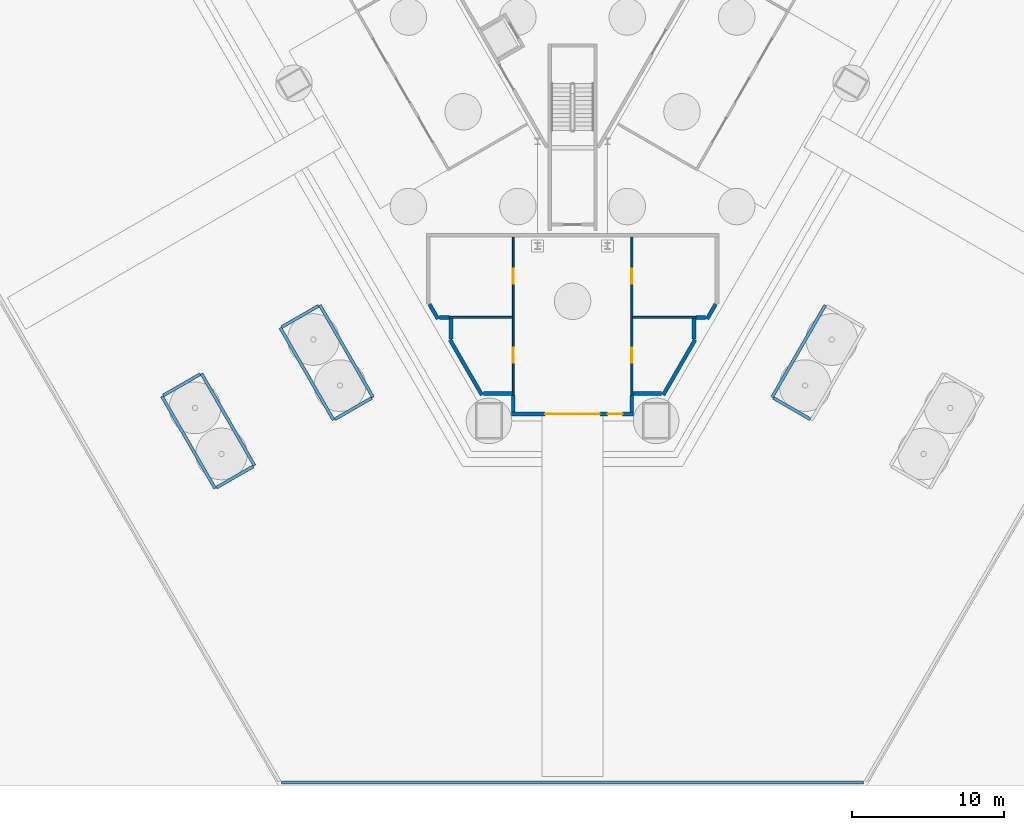
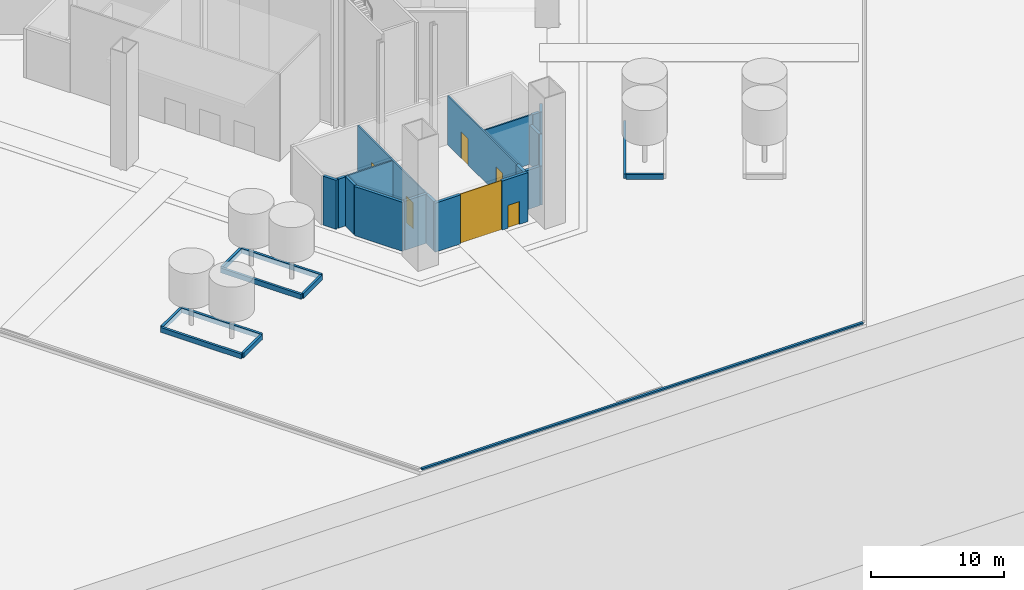
# One storey, part 4 of 22: 28 walls, 6 doors, 6 openings.
"""IFC4 building model written with IfcOpenShell, lengths in metres."""

from ifc_helpers import new_model, si_unit, direction, frame, frame_2d, origin, place, context, subcontext, project, spatial, rectangle, extrude, material, layer, layer_set, type_object, element, fill, save


model = new_model("IFC4")

# Units and contexts
model_context = context("Model", 3, precision=1e-05, world=origin(), true_north=direction((0.0, 1.0)))
body_context = subcontext(model_context, "Body", "Model", "MODEL_VIEW")
ifc_project = project(units=[si_unit("LENGTHUNIT", "METRE"), si_unit("AREAUNIT", "SQUARE_METRE"), si_unit("VOLUMEUNIT", "CUBIC_METRE"), si_unit("PLANEANGLEUNIT", "RADIAN"), si_unit("MASSUNIT", "GRAM", prefix="KILO")], contexts=[model_context])

# Site, building, storey
site_placement = place(None, origin())
site = spatial("IfcSite", under=ifc_project, at=site_placement, CompositionType="ELEMENT")
building_placement = place(site_placement, origin())
building = spatial("IfcBuilding", under=site, at=building_placement, Name="Verrane Prism Tower", CompositionType="ELEMENT")
storey_placement = place(building_placement, origin())
storey = spatial("IfcBuildingStorey", under=building, at=storey_placement, Name="L00", CompositionType="ELEMENT", Elevation=0.0)

# Wall
ifc_material_1 = material(Name="Concrete C25/30", Category="concrete")
ifc_layer_1 = layer(ifc_material_1, 0.125)
ifc_layer_set_1 = layer_set([ifc_layer_1], Name="CB-125 concrete block demising wall 3 h")
wall_type_1 = type_object("IfcWallType", Name="CB-125 concrete block demising wall 3 h", PredefinedType="SOLIDWALL", material=ifc_layer_set_1)
wall_1_placement = place(storey_placement, frame((-8.125, -26.0, 0.0), z_axis=(0.0, 0.0, 1.0), x_axis=(1.0, 0.0, 0.0)))
element("IfcWall", 1, at=wall_1_placement, inside=storey, type_object=wall_type_1, Name="Demising wall 018", PredefinedType="SOLIDWALL", context=body_context, shape_type="SweptSolid", body=[
    extrude(rectangle(XDim=4.16259765625, YDim=0.125, at=frame_2d((2.081298828125, 0.0))), origin(), (0.0, 0.0, 1.0), 4.5),
])

# Wall, openings, doors
wall_2_placement = place(storey_placement, frame((-3.89990234375, -31.125, 0.0), z_axis=(0.0, 0.0, 1.0), x_axis=(0.0, 1.0, 0.0)))
wall_2 = element("IfcWall", 2, at=wall_2_placement, inside=storey, type_object=wall_type_1, Name="Demising wall 024", PredefinedType="SOLIDWALL", context=body_context, shape_type="SweptSolid", body=[
    extrude(rectangle(XDim=10.39990234375, YDim=0.125, at=frame_2d((5.199951171875, 0.0))), origin(), (0.0, 0.0, 1.0), 4.5),
])
opening_1_placement = place(wall_2_placement, frame((7.324951171875, 0.0, 0.0)))
opening_1 = element("IfcOpeningElement", 3, at=opening_1_placement, cuts=wall_2, Name="Opening D00022", PredefinedType="OPENING", context=body_context, shape_type="SweptSolid", body=[
    extrude(rectangle(XDim=1.0, YDim=2.39990234375, at=frame_2d((0.5, 1.199951171875))), frame((0.0, 0.072509765625, 0.0), z_axis=(0.0, -1.0, 0.0), x_axis=(1.0, 0.0, 0.0)), (0.0, 0.0, 1.0), 0.14501953125),
])
opening_2_placement = place(wall_2_placement, frame((2.125, 0.0, 0.0)))
opening_2 = element("IfcOpeningElement", 4, at=opening_2_placement, cuts=wall_2, Name="Opening D00024", PredefinedType="OPENING", context=body_context, shape_type="SweptSolid", body=[
    extrude(rectangle(XDim=1.0, YDim=2.39990234375, at=frame_2d((0.5, 1.199951171875))), frame((0.0, 0.072509765625, 0.0), z_axis=(0.0, -1.0, 0.0), x_axis=(1.0, 0.0, 0.0)), (0.0, 0.0, 1.0), 0.14501953125),
])
ifc_material_2 = material(Name="Timber veneered door leaf", Category="wood")
door_type_1 = type_object("IfcDoorType", Name="DR-1000x2400 FD60 single leaf pump room", OperationType="NOTDEFINED", PredefinedType="DOOR", material=ifc_material_2)
door_1_placement = place(opening_2_placement, origin())
door_1 = element("IfcDoor", 5, at=door_1_placement, inside=storey, type_object=door_type_1, Name="Door Fire Pump Room", OperationType="SINGLE_SWING_RIGHT", OverallHeight=2.39990234375, OverallWidth=1.0, PredefinedType="DOOR", context=body_context, shape_type="SweptSolid", body=[
    extrude(rectangle(XDim=1.0, YDim=2.39990234375, at=frame_2d((0.5, 1.199951171875))), frame((0.0, 0.02490234375, 0.0), z_axis=(0.0, -1.0, 0.0), x_axis=(1.0, 0.0, 0.0)), (0.0, 0.0, 1.0), 0.050048828125),
])
fill(opening_2, door_1)
ifc_material_3 = material(Name="Timber veneered door leaf", Category="wood")
door_type_2 = type_object("IfcDoorType", Name="DR-1000x2400 single leaf room", OperationType="NOTDEFINED", PredefinedType="DOOR", material=ifc_material_3)
door_2_placement = place(opening_1_placement, origin())
door_2 = element("IfcDoor", 6, at=door_2_placement, inside=storey, type_object=door_type_2, Name="Door Refuse Room", OperationType="SINGLE_SWING_RIGHT", OverallHeight=2.39990234375, OverallWidth=1.0, PredefinedType="DOOR", context=body_context, shape_type="SweptSolid", body=[
    extrude(rectangle(XDim=1.0, YDim=2.39990234375, at=frame_2d((0.5, 1.199951171875))), frame((0.0, 0.02490234375, 0.0), z_axis=(0.0, -1.0, 0.0), x_axis=(1.0, 0.0, 0.0)), (0.0, 0.0, 1.0), 0.050048828125),
])
fill(opening_1, door_2)

wall_3_placement = place(storey_placement, frame((3.89990234375, -20.72509765625, 0.0), z_axis=(0.0, 0.0, 1.0), x_axis=(0.0, -1.0, 0.0)))
wall_3 = element("IfcWall", 7, at=wall_3_placement, inside=storey, type_object=wall_type_1, Name="Demising wall 027", PredefinedType="SOLIDWALL", context=body_context, shape_type="SweptSolid", body=[
    extrude(rectangle(XDim=10.39990234375, YDim=0.125, at=frame_2d((5.199951171875, 0.0))), origin(), (0.0, 0.0, 1.0), 4.5),
])
opening_3_placement = place(wall_3_placement, frame((2.074951171875, 0.0, 0.0)))
opening_3 = element("IfcOpeningElement", 8, at=opening_3_placement, cuts=wall_3, Name="Opening D00023", PredefinedType="OPENING", context=body_context, shape_type="SweptSolid", body=[
    extrude(rectangle(XDim=1.0, YDim=2.39990234375, at=frame_2d((0.5, 1.199951171875))), frame((0.0, 0.072509765625, 0.0), z_axis=(0.0, -1.0, 0.0), x_axis=(1.0, 0.0, 0.0)), (0.0, 0.0, 1.0), 0.14501953125),
])
opening_4_placement = place(wall_3_placement, frame((7.27490234375, 0.0, 0.0)))
opening_4 = element("IfcOpeningElement", 9, at=opening_4_placement, cuts=wall_3, Name="Opening D00025", PredefinedType="OPENING", context=body_context, shape_type="SweptSolid", body=[
    extrude(rectangle(XDim=1.0, YDim=2.39990234375, at=frame_2d((0.5, 1.199951171875))), frame((0.0, 0.072509765625, 0.0), z_axis=(0.0, -1.0, 0.0), x_axis=(1.0, 0.0, 0.0)), (0.0, 0.0, 1.0), 0.14501953125),
])
door_3_placement = place(opening_3_placement, origin())
door_3 = element("IfcDoor", 10, at=door_3_placement, inside=storey, type_object=door_type_2, Name="Door Switch Room", OperationType="SINGLE_SWING_RIGHT", OverallHeight=2.39990234375, OverallWidth=1.0, PredefinedType="DOOR", context=body_context, shape_type="SweptSolid", body=[
    extrude(rectangle(XDim=1.0, YDim=2.39990234375, at=frame_2d((0.5, 1.199951171875))), frame((0.0, 0.02490234375, 0.0), z_axis=(0.0, -1.0, 0.0), x_axis=(1.0, 0.0, 0.0)), (0.0, 0.0, 1.0), 0.050048828125),
])
fill(opening_3, door_3)
door_4_placement = place(opening_4_placement, origin())
door_4 = element("IfcDoor", 11, at=door_4_placement, inside=storey, type_object=door_type_2, Name="Door Bicycle Store", OperationType="SINGLE_SWING_RIGHT", OverallHeight=2.39990234375, OverallWidth=1.0, PredefinedType="DOOR", context=body_context, shape_type="SweptSolid", body=[
    extrude(rectangle(XDim=1.0, YDim=2.39990234375, at=frame_2d((0.5, 1.199951171875))), frame((0.0, 0.02490234375, 0.0), z_axis=(0.0, -1.0, 0.0), x_axis=(1.0, 0.0, 0.0)), (0.0, 0.0, 1.0), 0.050048828125),
])
fill(opening_4, door_4)

# Walls
wall_4_placement = place(storey_placement, frame((3.96240234375, -26.0, 0.0), z_axis=(0.0, 0.0, 1.0), x_axis=(1.0, 0.0, 0.0)))
element("IfcWall", 12, at=wall_4_placement, inside=storey, type_object=wall_type_1, Name="Demising wall 029", PredefinedType="SOLIDWALL", context=body_context, shape_type="SweptSolid", body=[
    extrude(rectangle(XDim=4.16259765625, YDim=0.125, at=frame_2d((2.081298828125, 0.0))), origin(), (0.0, 0.0, 1.0), 4.5),
])
ifc_material_4 = material(Name="Concrete C30/37", Category="concrete")
ifc_layer_2 = layer(ifc_material_4, 0.25)
ifc_layer_set_2 = layer_set([ifc_layer_2], Name="EW-250 service enclosure wall")
wall_type_2 = type_object("IfcWallType", Name="EW-250 service enclosure wall", PredefinedType="SOLIDWALL", material=ifc_layer_set_2)
wall_5_placement = place(storey_placement, frame((-9.4150390625, -25.13232421875, 0.0), z_axis=(0.0, 0.0, 1.0), x_axis=(0.500053780933, -0.865994351122, 0.0)))
element("IfcWall", 13, at=wall_5_placement, inside=storey, type_object=wall_type_2, Name="Service room wall 011", PredefinedType="SOLIDWALL", context=body_context, shape_type="SweptSolid", body=[
    extrude(rectangle(XDim=1.126953125, YDim=0.25, at=frame_2d((0.5634765625, 0.0))), origin(), (0.0, 0.0, 1.0), 4.5),
])
wall_6_placement = place(storey_placement, frame((-8.743896484375, -26.0, 0.0), z_axis=(0.0, 0.0, 1.0), x_axis=(1.0, 0.0, 0.0)))
element("IfcWall", 14, at=wall_6_placement, inside=storey, type_object=wall_type_2, Name="Service room wall 014", PredefinedType="SOLIDWALL", context=body_context, shape_type="SweptSolid", body=[
    extrude(rectangle(XDim=0.618896484375, YDim=0.25, at=frame_2d((0.3095703125, 0.0))), origin(), (0.0, 0.0, 1.0), 4.5),
])
wall_7_placement = place(storey_placement, frame((-8.0, -27.4140625, 0.0), z_axis=(0.0, 0.0, 1.0), x_axis=(0.0, 1.0, 0.0)))
element("IfcWall", 15, at=wall_7_placement, inside=storey, type_object=wall_type_2, Name="Service room wall 016", PredefinedType="SOLIDWALL", context=body_context, shape_type="SweptSolid", body=[
    extrude(rectangle(XDim=1.34912109375, YDim=0.25, at=frame_2d((0.674560546875, 0.0))), origin(), (0.0, 0.0, 1.0), 4.5),
])
wall_8_placement = place(storey_placement, frame((-8.0625, -27.475830078125, 0.0), z_axis=(0.0, 0.0, 1.0), x_axis=(0.49996431818, -0.866046003713, 0.0)))
element("IfcWall", 16, at=wall_8_placement, inside=storey, type_object=wall_type_2, Name="Service room wall 017", PredefinedType="SOLIDWALL", context=body_context, shape_type="SweptSolid", body=[
    extrude(rectangle(XDim=4.194091796875, YDim=0.25, at=frame_2d((2.09716796875, 0.0))), origin(), (0.0, 0.0, 1.0), 4.5),
])
wall_9_placement = place(storey_placement, frame((-5.85791015625, -31.0, 0.0), z_axis=(0.0, 0.0, 1.0), x_axis=(1.0, 0.0, 0.0)))
element("IfcWall", 17, at=wall_9_placement, inside=storey, type_object=wall_type_2, Name="Service room wall 021", PredefinedType="SOLIDWALL", context=body_context, shape_type="SweptSolid", body=[
    extrude(rectangle(XDim=1.892822265625, YDim=0.25, at=frame_2d((0.9462890625, 0.0))), origin(), (0.0, 0.0, 1.0), 4.5),
])
wall_10_placement = place(storey_placement, frame((-3.89990234375, -32.239013671875, 0.0), z_axis=(0.0, 0.0, 1.0), x_axis=(0.0, 1.0, 0.0)))
element("IfcWall", 18, at=wall_10_placement, inside=storey, type_object=wall_type_2, Name="Service room wall 022", PredefinedType="SOLIDWALL", context=body_context, shape_type="SweptSolid", body=[
    extrude(rectangle(XDim=1.114013671875, YDim=0.25, at=frame_2d((0.55712890625, 0.0))), origin(), (0.0, 0.0, 1.0), 4.5),
])

# Wall, openings, doors
wall_11_placement = place(storey_placement, frame((-4.02490234375, -32.364013671875, 0.0), z_axis=(0.0, 0.0, 1.0), x_axis=(1.0, 0.0, 0.0)))
wall_11 = element("IfcWall", 19, at=wall_11_placement, inside=storey, type_object=wall_type_2, Name="Service room wall 023", PredefinedType="SOLIDWALL", context=body_context, shape_type="SweptSolid", body=[
    extrude(rectangle(XDim=8.0498046875, YDim=0.25, at=frame_2d((4.02490234375, 0.0))), origin(), (0.0, 0.0, 1.0), 4.5),
])
opening_5_placement = place(wall_11_placement, frame((2.22509765625, 0.0, 0.0)))
opening_5 = element("IfcOpeningElement", 20, at=opening_5_placement, cuts=wall_11, Name="Opening D00020", PredefinedType="OPENING", context=body_context, shape_type="SweptSolid", body=[
    extrude(rectangle(XDim=3.60009765625, YDim=4.5, at=frame_2d((1.800048828125, 2.25))), frame((0.0, 0.135009765625, 0.0), z_axis=(0.0, -1.0, 0.0), x_axis=(1.0, 0.0, 0.0)), (0.0, 0.0, 1.0), 0.27001953125),
])
opening_6_placement = place(wall_11_placement, frame((6.324951171875, 0.0, 0.0)))
opening_6 = element("IfcOpeningElement", 21, at=opening_6_placement, cuts=wall_11, Name="Opening D00021", PredefinedType="OPENING", context=body_context, shape_type="SweptSolid", body=[
    extrude(rectangle(XDim=1.0, YDim=2.10009765625, at=frame_2d((0.5, 1.050048828125))), frame((0.0, 0.135009765625, 0.0), z_axis=(0.0, -1.0, 0.0), x_axis=(1.0, 0.0, 0.0)), (0.0, 0.0, 1.0), 0.27001953125),
])
ifc_material_5 = material(Name="Galvanised steel door leaf", Category="steel")
door_type_3 = type_object("IfcDoorType", Name="DR-1000x2100 single leaf dock exit", OperationType="NOTDEFINED", PredefinedType="DOOR", material=ifc_material_5)
door_5_placement = place(opening_6_placement, frame((1.0, 0.0, 0.0), z_axis=(0.0, 0.0, 1.0), x_axis=(-1.0, 0.0, 0.0)))
door_5 = element("IfcDoor", 22, at=door_5_placement, inside=storey, type_object=door_type_3, Name="Dock exit door", OperationType="SINGLE_SWING_RIGHT", OverallHeight=2.10009765625, OverallWidth=1.0, PredefinedType="DOOR", context=body_context, shape_type="SweptSolid", body=[
    extrude(rectangle(XDim=1.0, YDim=2.10009765625, at=frame_2d((0.5, 1.050048828125))), frame((0.0, 0.02490234375, 0.0), z_axis=(0.0, -1.0, 0.0), x_axis=(1.0, 0.0, 0.0)), (0.0, 0.0, 1.0), 0.050048828125),
])
fill(opening_6, door_5)
ifc_material_6 = material(Name="Galvanised steel", Category="steel")
door_type_4 = type_object("IfcDoorType", Name="DR-3600x4500 roller shutter dock", OperationType="ROLLINGUP", PredefinedType="DOOR", material=ifc_material_6)
door_6_placement = place(opening_5_placement, origin())
door_6 = element("IfcDoor", 23, at=door_6_placement, inside=storey, type_object=door_type_4, Name="Dock roller shutter", OperationType="ROLLINGUP", OverallHeight=4.5, OverallWidth=3.60009765625, PredefinedType="DOOR", context=body_context, shape_type="SweptSolid", body=[
    extrude(rectangle(XDim=3.60009765625, YDim=4.5, at=frame_2d((1.800048828125, 2.25))), frame((0.0, 0.02490234375, 0.0), z_axis=(0.0, -1.0, 0.0), x_axis=(1.0, 0.0, 0.0)), (0.0, 0.0, 1.0), 0.050048828125),
])
fill(opening_5, door_6)

# Walls
wall_12_placement = place(storey_placement, frame((3.89990234375, -32.239013671875, 0.0), z_axis=(0.0, 0.0, 1.0), x_axis=(0.0, 1.0, 0.0)))
element("IfcWall", 24, at=wall_12_placement, inside=storey, type_object=wall_type_2, Name="Service room wall 026", PredefinedType="SOLIDWALL", context=body_context, shape_type="SweptSolid", body=[
    extrude(rectangle(XDim=1.114013671875, YDim=0.25, at=frame_2d((0.55712890625, 0.0))), origin(), (0.0, 0.0, 1.0), 4.5),
])
wall_13_placement = place(storey_placement, frame((3.965087890625, -31.0, 0.0), z_axis=(0.0, 0.0, 1.0), x_axis=(1.0, 0.0, 0.0)))
element("IfcWall", 25, at=wall_13_placement, inside=storey, type_object=wall_type_2, Name="Service room wall 028", PredefinedType="SOLIDWALL", context=body_context, shape_type="SweptSolid", body=[
    extrude(rectangle(XDim=1.892822265625, YDim=0.25, at=frame_2d((0.9462890625, 0.0))), origin(), (0.0, 0.0, 1.0), 3.60009765625),
])
wall_14_placement = place(storey_placement, frame((5.965576171875, -31.108154296875, 0.0), z_axis=(0.0, 0.0, 1.0), x_axis=(0.49996431818, 0.866046003713, 0.0)))
element("IfcWall", 26, at=wall_14_placement, inside=storey, type_object=wall_type_2, Name="Service room wall 032", PredefinedType="SOLIDWALL", context=body_context, shape_type="SweptSolid", body=[
    extrude(rectangle(XDim=4.194091796875, YDim=0.25, at=frame_2d((2.09716796875, 0.0))), origin(), (0.0, 0.0, 1.0), 3.60009765625),
])
wall_15_placement = place(storey_placement, frame((8.0, -27.4140625, 0.0), z_axis=(0.0, 0.0, 1.0), x_axis=(0.0, 1.0, 0.0)))
element("IfcWall", 27, at=wall_15_placement, inside=storey, type_object=wall_type_2, Name="Service room wall 033", PredefinedType="SOLIDWALL", context=body_context, shape_type="SweptSolid", body=[
    extrude(rectangle(XDim=1.34912109375, YDim=0.25, at=frame_2d((0.674560546875, 0.0))), origin(), (0.0, 0.0, 1.0), 3.60009765625),
])
wall_16_placement = place(storey_placement, frame((8.125, -26.0, 0.0), z_axis=(0.0, 0.0, 1.0), x_axis=(1.0, 0.0, 0.0)))
element("IfcWall", 28, at=wall_16_placement, inside=storey, type_object=wall_type_2, Name="Service room wall 034", PredefinedType="SOLIDWALL", context=body_context, shape_type="SweptSolid", body=[
    extrude(rectangle(XDim=0.618896484375, YDim=0.25, at=frame_2d((0.3095703125, 0.0))), origin(), (0.0, 0.0, 1.0), 4.5),
])
wall_17_placement = place(storey_placement, frame((8.8515625, -26.108154296875, 0.0), z_axis=(0.0, 0.0, 1.0), x_axis=(0.500053780933, 0.865994351122, 0.0)))
element("IfcWall", 29, at=wall_17_placement, inside=storey, type_object=wall_type_2, Name="Service room wall 036", PredefinedType="SOLIDWALL", context=body_context, shape_type="SweptSolid", body=[
    extrude(rectangle(XDim=1.126953125, YDim=0.25, at=frame_2d((0.5634765625, 0.0))), origin(), (0.0, 0.0, 1.0), 4.5),
])
ifc_material_7 = material(Name="Granite kerb on concrete C25/30", Category="masonry")
ifc_layer_3 = layer(ifc_material_7, 0.199951171875)
ifc_layer_set_3 = layer_set([ifc_layer_3], Name="KB-200 granite kerb")
wall_type_3 = type_object("IfcWallType", Name="KB-200 granite kerb", PredefinedType="SOLIDWALL", material=ifc_layer_set_3)
wall_18_placement = place(storey_placement, frame((-19.140869140625, -56.61376953125, 0.0), z_axis=(0.0, 0.0, 1.0), x_axis=(1.0, 0.0, 0.0)))
element("IfcWall", 30, at=wall_18_placement, inside=storey, type_object=wall_type_3, Name="Plaza kerb 4", PredefinedType="SOLIDWALL", context=body_context, shape_type="SweptSolid", body=[
    extrude(rectangle(XDim=38.28173828125, YDim=0.199951171875, at=frame_2d((19.140869140625, 0.0))), origin(), (0.0, 0.0, 1.0), 0.14990234375),
])
for number, where, z_axis, x_axis, name in (
    (31, (-16.6328125, -25.19140625, 0.0), (0.0, 0.0, 1.0), (0.500010275428, -0.866019471182, 0.0), "Bed kerb 6.1"),
    (32, (-15.730712890625, -32.75341796875, 0.0), (0.0, 0.0, 1.0), (-0.500010275428, 0.866019471182, 0.0), "Bed kerb 6.2"),
):
    element("IfcWall", number, at=place(storey_placement, frame(where, z_axis=z_axis, x_axis=x_axis)), inside=storey, type_object=wall_type_3, Name=name, PredefinedType="SOLIDWALL", context=body_context, shape_type="SweptSolid", body=[
        extrude(rectangle(XDim=6.999755859375, YDim=0.199951171875, at=frame_2d((3.5, 0.0))), origin(), (0.0, 0.0, 1.0), 0.449951171875),
    ])
for number, where, z_axis, x_axis, name in (
    (33, (-13.21923828125, -31.303466796875, 0.0), (0.0, 0.0, 1.0), (-0.866018616679, -0.500011755427, 0.0), "Bed kerb 6.3"),
    (34, (-19.144287109375, -26.641357421875, 0.0), (0.0, 0.0, 1.0), (0.866018616679, 0.500011755427, 0.0), "Bed kerb 6.4"),
):
    element("IfcWall", number, at=place(storey_placement, frame(where, z_axis=z_axis, x_axis=x_axis)), inside=storey, type_object=wall_type_3, Name=name, PredefinedType="SOLIDWALL", context=body_context, shape_type="SweptSolid", body=[
        extrude(rectangle(XDim=2.80029296875, YDim=0.199951171875, at=frame_2d((1.400146484375, 0.0))), origin(), (0.0, 0.0, 1.0), 0.449951171875),
    ])
for number, where, z_axis, x_axis, name in (
    (35, (-24.427001953125, -29.69140625, 0.0), (0.0, 0.0, 1.0), (0.500010275428, -0.866019471182, 0.0), "Bed kerb 8.1"),
    (36, (-23.52490234375, -37.25341796875, 0.0), (0.0, 0.0, 1.0), (-0.500010275428, 0.866019471182, 0.0), "Bed kerb 8.2"),
):
    element("IfcWall", number, at=place(storey_placement, frame(where, z_axis=z_axis, x_axis=x_axis)), inside=storey, type_object=wall_type_3, Name=name, PredefinedType="SOLIDWALL", context=body_context, shape_type="SweptSolid", body=[
        extrude(rectangle(XDim=6.999755859375, YDim=0.199951171875, at=frame_2d((3.5, 0.0))), origin(), (0.0, 0.0, 1.0), 0.449951171875),
    ])
for number, where, z_axis, x_axis, name in (
    (37, (-21.013427734375, -35.803466796875, 0.0), (0.0, 0.0, 1.0), (-0.866018616679, -0.500011755427, 0.0), "Bed kerb 8.3"),
    (38, (-26.9384765625, -31.141357421875, 0.0), (0.0, 0.0, 1.0), (0.866018616679, 0.500011755427, 0.0), "Bed kerb 8.4"),
):
    element("IfcWall", number, at=place(storey_placement, frame(where, z_axis=z_axis, x_axis=x_axis)), inside=storey, type_object=wall_type_3, Name=name, PredefinedType="SOLIDWALL", context=body_context, shape_type="SweptSolid", body=[
        extrude(rectangle(XDim=2.80029296875, YDim=0.199951171875, at=frame_2d((1.400146484375, 0.0))), origin(), (0.0, 0.0, 1.0), 0.449951171875),
    ])
wall_19_placement = place(storey_placement, frame((13.1328125, -31.25341796875, 0.0), z_axis=(0.0, 0.0, 1.0), x_axis=(0.500010275428, 0.866019471182, 0.0)))
element("IfcWall", 39, at=wall_19_placement, inside=storey, type_object=wall_type_3, Name="Bed kerb 9.1", PredefinedType="SOLIDWALL", context=body_context, shape_type="SweptSolid", body=[
    extrude(rectangle(XDim=6.999755859375, YDim=0.199951171875, at=frame_2d((3.5, 0.0))), origin(), (0.0, 0.0, 1.0), 0.449951171875),
])
wall_20_placement = place(storey_placement, frame((15.644287109375, -32.70361328125, 0.0), z_axis=(0.0, 0.0, 1.0), x_axis=(-0.866018616679, 0.500011755427, 0.0)))
element("IfcWall", 40, at=wall_20_placement, inside=storey, type_object=wall_type_3, Name="Bed kerb 9.4", PredefinedType="SOLIDWALL", context=body_context, shape_type="SweptSolid", body=[
    extrude(rectangle(XDim=2.80029296875, YDim=0.199951171875, at=frame_2d((1.400146484375, 0.0))), origin(), (0.0, 0.0, 1.0), 0.449951171875),
])

save(model, "model.ifc")
